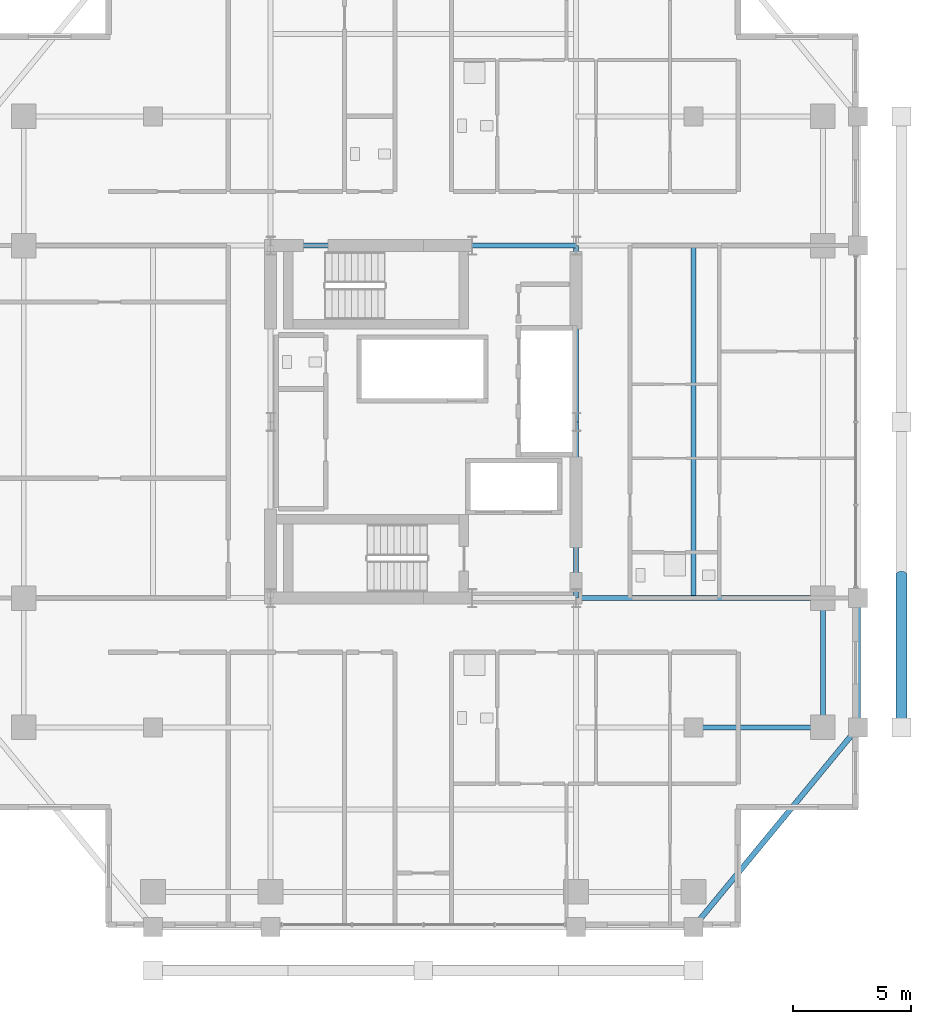
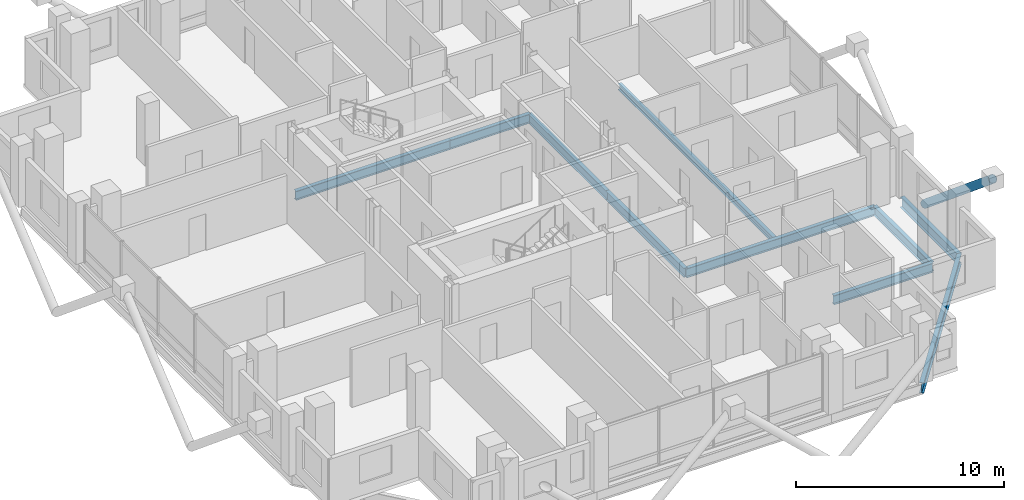
# One storey, part 9 of 24: 10 beams, 1 member.
"""IFC4 building model written with IfcOpenShell, lengths in metres."""

import ifcopenshell
import ifcopenshell.guid

model = None  # the IFC model being written
_history = None  # IfcOwnerHistory: only IFC2X3 demands one
_inside = {}  # id of a spatial element -> (the spatial element, [elements in it])
_under = {}  # id of a project, library or spatial element -> (it, [spatial elements below it])
_declared = {}  # id of a project -> (the project, [libraries it declares])
_typed = {}  # id of a type object -> (the type object, [elements of that type])
_made_of = {}  # id of a material, layer set ... -> (it, [elements and type objects made of it])


def new_model(schema):
    """Start an empty IFC model of exactly this schema.

    Asked for "IFC4X3", IfcOpenShell would pick the latest addendum, in which some entities
    have other attributes; the version numbers below select the first issue.
    IFC2X3 requires an IfcOwnerHistory on every rooted entity: one is made here for all.
    """
    global model, _history
    if schema == "IFC4X3":
        model = ifcopenshell.file(schema_version=(4, 3, 0, 0))
    else:
        model = ifcopenshell.file(schema=schema)
    _inside.clear()
    _under.clear()
    _declared.clear()
    _typed.clear()
    _made_of.clear()
    _history = None
    if model.schema == "IFC2X3":
        org = make("IfcOrganization", Name="unknown")
        user = make(
            "IfcPersonAndOrganization",
            ThePerson=make("IfcPerson", FamilyName="unknown"),
            TheOrganization=org,
        )
        app = make(
            "IfcApplication",
            ApplicationDeveloper=org,
            Version="unknown",
            ApplicationFullName="unknown",
            ApplicationIdentifier="unknown",
        )
        _history = make(
            "IfcOwnerHistory",
            OwningUser=user,
            OwningApplication=app,
            ChangeAction="ADDED",
            CreationDate=0,
        )
    return model


def make(cls, **values):
    """One entity of the class cls with the attributes given. An attribute that is None is left unset."""
    return model.create_entity(
        cls, **{name: value for name, value in values.items() if value is not None}
    )


def rooted(cls, **values):
    """An entity with a GlobalId (a new one), such as an element, a storey or a relation."""
    return make(cls, GlobalId=ifcopenshell.guid.new(), OwnerHistory=_history, **values)


def si_unit(unit_type, name, prefix=None):
    """IfcSIUnit, for example si_unit("LENGTHUNIT", "METRE", prefix="MILLI")."""
    return make("IfcSIUnit", UnitType=unit_type, Prefix=prefix, Name=name)


def assignment(units):
    """IfcUnitAssignment: the units of a project."""
    return None if units is None else make("IfcUnitAssignment", Units=units)


def point(xyz):
    """IfcCartesianPoint."""
    return None if xyz is None else make("IfcCartesianPoint", Coordinates=xyz)


def direction(xyz):
    """IfcDirection."""
    return None if xyz is None else make("IfcDirection", DirectionRatios=xyz)


def frame(location, z_axis=None, x_axis=None):
    """IfcAxis2Placement3D, a coordinate frame: its origin and axes. An axis left out is left unset."""
    return make(
        "IfcAxis2Placement3D",
        Location=point(location),
        Axis=direction(z_axis),
        RefDirection=direction(x_axis),
    )


def frame_2d(location, x_axis=None):
    """IfcAxis2Placement2D, a coordinate frame in the plane: its origin and x axis."""
    return make(
        "IfcAxis2Placement2D", Location=point(location), RefDirection=direction(x_axis)
    )


def origin():
    """The frame at (0, 0, 0) with its axes left unset."""
    return frame((0.0, 0.0, 0.0))


def origin_2d():
    """The frame at (0, 0) in the plane with its x axis left unset."""
    return frame_2d((0.0, 0.0))


def place(relative_to, where):
    """IfcLocalPlacement: puts the frame where relative to a parent placement (None: the world)."""
    return make(
        "IfcLocalPlacement", PlacementRelTo=relative_to, RelativePlacement=where
    )


def context(
    kind, dimensions, precision=None, world=None, true_north=None, identifier=None
):
    """IfcGeometricRepresentationContext, for example the 3D "Model" context."""
    return make(
        "IfcGeometricRepresentationContext",
        ContextIdentifier=identifier,
        ContextType=kind,
        CoordinateSpaceDimension=dimensions,
        Precision=precision,
        WorldCoordinateSystem=world,
        TrueNorth=true_north,
    )


def subcontext(parent, identifier, kind, view, scale=None):
    """IfcGeometricRepresentationSubContext, for example "Body" below "Model"."""
    return make(
        "IfcGeometricRepresentationSubContext",
        ContextIdentifier=identifier,
        ContextType=kind,
        ParentContext=parent,
        TargetScale=scale,
        TargetView=view,
    )


def project(units=None, contexts=None):
    """IfcProject with its units and contexts."""
    return rooted(
        "IfcProject",
        Name="project",
        RepresentationContexts=contexts,
        UnitsInContext=assignment(units),
    )


def spatial(cls, under=None, at=None, **own):
    """A site, building, storey or space (cls), placed at a placement, below another one or the project."""
    s = rooted(cls, ObjectPlacement=at, **own)
    if under is not None:
        _under.setdefault(under.id(), (under, []))[1].append(s)
    return s


def profile(cls, at=None, kind="AREA", **sizes):
    """A parametric profile (cls). Its sizes go by their IFC names, for example OverallWidth=200.0."""
    return make(cls, ProfileType=kind, Position=at, **sizes)


def hollow_circle(**sizes):
    """IfcCircleHollowProfileDef."""
    return profile("IfcCircleHollowProfileDef", **sizes)


def i_section(**sizes):
    """IfcIShapeProfileDef."""
    return profile("IfcIShapeProfileDef", **sizes)


def extrude(swept, where, along, depth):
    """IfcExtrudedAreaSolid: the profile swept, set in the frame where, extruded along a direction by depth."""
    return make(
        "IfcExtrudedAreaSolid",
        SweptArea=swept,
        Position=where,
        ExtrudedDirection=direction(along),
        Depth=depth,
    )


def shape(context_of_items, identifier, shape_type, items):
    """IfcShapeRepresentation: the items that make up one representation, for example the "Body"."""
    return make(
        "IfcShapeRepresentation",
        ContextOfItems=context_of_items,
        RepresentationIdentifier=identifier,
        RepresentationType=shape_type,
        Items=items,
    )


def material(Name=None, Category=None):
    """IfcMaterial."""
    return make("IfcMaterial", Name=Name, Category=Category)


def material_profile(
    of_material, cross_section, Name=None, Category=None, Priority=None
):
    """IfcMaterialProfile: a cross section and its material."""
    return make(
        "IfcMaterialProfile",
        Name=Name,
        Material=of_material,
        Profile=cross_section,
        Priority=Priority,
        Category=Category,
    )


def profile_set(profiles, Name=None, composite=None):
    """IfcMaterialProfileSet."""
    return make(
        "IfcMaterialProfileSet",
        Name=Name,
        MaterialProfiles=profiles,
        CompositeProfile=composite,
    )


def made_of(thing, what):
    """Note that an element or type object is made of a material, layer set ...; save() writes the relation."""
    if what is not None:
        _made_of.setdefault(what.id(), (what, []))[1].append(thing)
    return thing


def type_object(cls, material=None, **own):
    """A type object (cls), such as IfcWallType, which elements share."""
    return made_of(rooted(cls, **own), material)


def element(
    cls,
    number,
    at=None,
    inside=None,
    cuts=None,
    type_object=None,
    material=None,
    context=None,
    identifier="Body",
    shape_type=None,
    held_by="IfcProductDefinitionShape",
    body=None,
    shapes=None,
    **own,
):
    """One element of the class cls, such as IfcWall. Its Tag is "e" and its number.

    at: its placement. inside: the storey or other place that contains it. cuts: it is an
    opening in that element (IfcRelVoidsElement). A single representation is given by context,
    identifier, shape_type and body (its items); several are given by shapes. held_by: the class
    of the entity that holds the representations. save() writes the other relations.
    """
    e = rooted(cls, Tag="e%d" % number, ObjectPlacement=at, **own)
    if body is not None:
        shapes = [shape(context, identifier, shape_type, body)]
    if shapes is not None:
        e.Representation = make(held_by, Representations=shapes)
    if inside is not None:
        _inside.setdefault(inside.id(), (inside, []))[1].append(e)
    if cuts is not None:
        rooted(
            "IfcRelVoidsElement", RelatingBuildingElement=cuts, RelatedOpeningElement=e
        )
    if type_object is not None:
        _typed.setdefault(type_object.id(), (type_object, []))[1].append(e)
    return made_of(e, material)


def aggregate(whole, parts):
    """IfcRelAggregates: a whole, such as a stair, and the parts it consists of."""
    return rooted("IfcRelAggregates", RelatingObject=whole, RelatedObjects=parts)


def save(model, path):
    """Write the relations noted so far, then the file.

    IfcRelAggregates (storeys below a building ...), IfcRelContainedInSpatialStructure (elements
    in a storey), IfcRelDefinesByType, IfcRelAssociatesMaterial and IfcRelDeclares: one each for
    every whole, place, type object, material and project.
    """
    for whole, parts in _under.values():
        aggregate(whole, parts)
    for where, things in _inside.values():
        rooted(
            "IfcRelContainedInSpatialStructure",
            RelatedElements=things,
            RelatingStructure=where,
        )
    for kind, things in _typed.values():
        rooted("IfcRelDefinesByType", RelatedObjects=things, RelatingType=kind)
    for what, things in _made_of.values():
        rooted("IfcRelAssociatesMaterial", RelatedObjects=things, RelatingMaterial=what)
    for by, libraries in _declared.values():
        rooted("IfcRelDeclares", RelatingContext=by, RelatedDefinitions=libraries)
    model.write(path)


model = new_model("IFC4")

# Units and contexts
model_context = context("Model", 3, precision=1e-05, world=origin(), true_north=direction((0.0, 1.0)))
body_context = subcontext(model_context, "Body", "Model", "MODEL_VIEW")
ifc_project = project(units=[si_unit("LENGTHUNIT", "METRE"), si_unit("AREAUNIT", "SQUARE_METRE"), si_unit("VOLUMEUNIT", "CUBIC_METRE"), si_unit("PLANEANGLEUNIT", "RADIAN"), si_unit("MASSUNIT", "GRAM", prefix="KILO")], contexts=[model_context])

# Site, building, storey
site_placement = place(None, origin())
site = spatial("IfcSite", under=ifc_project, at=site_placement, CompositionType="ELEMENT")
building_placement = place(site_placement, origin())
building = spatial("IfcBuilding", under=site, at=building_placement, Name="Barlavira Tower and Art Museum", CompositionType="ELEMENT")
storey_placement = place(building_placement, frame((0.0, 0.0, 172.800048828125)))
storey = spatial("IfcBuildingStorey", under=building, at=storey_placement, Name="L44", CompositionType="ELEMENT", Elevation=172.800048828125)

# Member
ifc_material = material(Name="Steel S355", Category="steel")
ifc_material_profile_1 = material_profile(ifc_material, hollow_circle(Radius=0.228515625, WallThickness=0.02001953125, at=origin_2d()), Name="CHS 457.0x20.0")
ifc_profile_set_1 = profile_set([ifc_material_profile_1], Name="Steel S355")
member_type = type_object("IfcMemberType", Name="Pale-Metal Exoskeleton Diagrid Tube CHS 457x20 Steel S355", PredefinedType="BRACE", material=ifc_profile_set_1)
member_placement = place(storey_placement, frame((20.35009765625, -6.5, -1.920166015625), z_axis=(0.0, -0.76918185268, 0.639029950399), x_axis=(1.0, 0.0, 0.0)))
element("IfcMember", 1, at=member_placement, inside=storey, type_object=member_type, Name="L44 Exoskeleton Diagrid Tube E", PredefinedType="BRACE", context=body_context, shape_type="SweptSolid", body=[
    extrude(hollow_circle(Radius=0.228515625, WallThickness=0.02001953125, at=origin_2d()), origin(), (0.0, 0.0, 1.0), 8.450439453125),
])

# Beams
ifc_material_profile_2 = material_profile(ifc_material, i_section(OverallWidth=0.22998046875, OverallDepth=0.616943359375, WebThickness=0.01318359375, FlangeThickness=0.022216796875, at=origin_2d()), Name="W610x140.0")
ifc_profile_set_2 = profile_set([ifc_material_profile_2], Name="Steel S355")
beam_type_1 = type_object("IfcBeamType", Name="Upper Shaft Spandrel Edge Beam W610x140 Steel S355", PredefinedType="SPANDREL", material=ifc_profile_set_2)
beam_1_placement = place(storey_placement, frame((11.5, -21.5, -0.528564453125), z_axis=(0.635707252861, 0.771930235617, 0.0), x_axis=(-0.771930235617, 0.635707252861, 0.0)))
element("IfcBeam", 2, at=beam_1_placement, inside=storey, type_object=beam_type_1, Name="L44 Spandrel 4", PredefinedType="SPANDREL", context=body_context, shape_type="SweptSolid", body=[
    extrude(i_section(OverallWidth=0.22998046875, OverallDepth=0.616943359375, WebThickness=0.01318359375, FlangeThickness=0.022216796875, at=origin_2d()), origin(), (0.0, 0.0, 1.0), 11.011474609375),
])
beam_2_placement = place(storey_placement, frame((18.5, -13.0, -0.528564453125), z_axis=(0.0, 1.0, 0.0), x_axis=(-1.0, 0.0, 0.0)))
element("IfcBeam", 3, at=beam_2_placement, inside=storey, type_object=beam_type_1, Name="L44 Spandrel 5", PredefinedType="SPANDREL", context=body_context, shape_type="SweptSolid", body=[
    extrude(i_section(OverallWidth=0.22998046875, OverallDepth=0.616943359375, WebThickness=0.01318359375, FlangeThickness=0.022216796875, at=origin_2d()), origin(), (0.0, 0.0, 1.0), 5.5),
])
ifc_material_profile_3 = material_profile(ifc_material, i_section(OverallWidth=0.205078125, OverallDepth=0.35400390625, WebThickness=0.009521484375, FlangeThickness=0.016845703125, at=origin_2d()), Name="W360x79.0")
ifc_profile_set_3 = profile_set([ifc_material_profile_3], Name="Steel S355")
beam_type_2 = type_object("IfcBeamType", Name="Zone 3 Composite Floor Joist W360x79 Steel S355", PredefinedType="JOIST", material=ifc_profile_set_3)
beam_3_placement = place(storey_placement, frame((11.5, -7.5, -0.39697265625), z_axis=(0.0, 1.0, 0.0), x_axis=(-1.0, 0.0, 0.0)))
element("IfcBeam", 4, at=beam_3_placement, inside=storey, type_object=beam_type_2, Name="L44 Joist W2", PredefinedType="JOIST", context=body_context, shape_type="SweptSolid", body=[
    extrude(i_section(OverallWidth=0.205078125, OverallDepth=0.35400390625, WebThickness=0.009521484375, FlangeThickness=0.016845703125, at=origin_2d()), origin(), (0.0, 0.0, 1.0), 15.0),
])
ifc_material_profile_4 = material_profile(ifc_material, i_section(OverallWidth=0.2109375, OverallDepth=0.5390625, WebThickness=0.01171875, FlangeThickness=0.018798828125, at=origin_2d()), Name="W530x109.0")
ifc_profile_set_4 = profile_set([ifc_material_profile_4], Name="Steel S355")
beam_type_3 = type_object("IfcBeamType", Name="Zone 3-4 Primary Floor Girder W530x109 Steel S355", PredefinedType="BEAM", material=ifc_profile_set_4)
beam_4_placement = place(storey_placement, frame((-6.5, 7.5, -0.489501953125), z_axis=(1.0, 0.0, 0.0), x_axis=(0.0, 1.0, 0.0)))
element("IfcBeam", 5, at=beam_4_placement, inside=storey, type_object=beam_type_3, Name="L44 Girder C-N1", PredefinedType="BEAM", context=body_context, shape_type="SweptSolid", body=[
    extrude(i_section(OverallWidth=0.2109375, OverallDepth=0.5390625, WebThickness=0.01171875, FlangeThickness=0.018798828125, at=origin_2d()), origin(), (0.0, 0.0, 1.0), 8.580078125),
])
beam_5_placement = place(storey_placement, frame((2.080078125, 7.5, -0.489501953125), z_axis=(1.0, 0.0, 0.0), x_axis=(0.0, 1.0, 0.0)))
element("IfcBeam", 6, at=beam_5_placement, inside=storey, type_object=beam_type_3, Name="L44 Girder C-N2", PredefinedType="BEAM", context=body_context, shape_type="SweptSolid", body=[
    extrude(i_section(OverallWidth=0.2109375, OverallDepth=0.5390625, WebThickness=0.01171875, FlangeThickness=0.018798828125, at=origin_2d()), origin(), (0.0, 0.0, 1.0), 4.419921875),
])
for number, where, z_axis, x_axis, name in (
    (7, (6.5, -7.5, -0.489501953125), (0.0, 1.0, 0.0), (-1.0, 0.0, 0.0), "L44 Girder C-E1"),
    (8, (6.5, 0.0, -0.489501953125), (0.0, 1.0, 0.0), (-1.0, 0.0, 0.0), "L44 Girder C-E2"),
):
    element("IfcBeam", number, at=place(storey_placement, frame(where, z_axis=z_axis, x_axis=x_axis)), inside=storey, type_object=beam_type_3, Name=name, PredefinedType="BEAM", context=body_context, shape_type="SweptSolid", body=[
        extrude(i_section(OverallWidth=0.2109375, OverallDepth=0.5390625, WebThickness=0.01171875, FlangeThickness=0.018798828125, at=origin_2d()), origin(), (0.0, 0.0, 1.0), 7.5),
    ])
beam_6_placement = place(storey_placement, frame((17.0, -13.0, -0.489501953125), z_axis=(0.0, 1.0, 0.0), x_axis=(-1.0, 0.0, 0.0)))
element("IfcBeam", 9, at=beam_6_placement, inside=storey, type_object=beam_type_3, Name="L44 Girder M-E1", PredefinedType="BEAM", context=body_context, shape_type="SweptSolid", body=[
    extrude(i_section(OverallWidth=0.2109375, OverallDepth=0.5390625, WebThickness=0.01171875, FlangeThickness=0.018798828125, at=origin_2d()), origin(), (0.0, 0.0, 1.0), 5.5),
])
beam_7_placement = place(storey_placement, frame((6.5, -7.5, -0.489501953125), z_axis=(1.0, 0.0, 0.0), x_axis=(0.0, 1.0, 0.0)))
element("IfcBeam", 10, at=beam_7_placement, inside=storey, type_object=beam_type_3, Name="L44 Girder R-E1", PredefinedType="BEAM", context=body_context, shape_type="SweptSolid", body=[
    extrude(i_section(OverallWidth=0.2109375, OverallDepth=0.5390625, WebThickness=0.01171875, FlangeThickness=0.018798828125, at=origin_2d()), origin(), (0.0, 0.0, 1.0), 10.5),
])
beam_8_placement = place(storey_placement, frame((11.5, -13.0, -0.489501953125), z_axis=(1.0, 0.0, 0.0), x_axis=(0.0, 1.0, 0.0)))
element("IfcBeam", 11, at=beam_8_placement, inside=storey, type_object=beam_type_3, Name="L44 Girder I-S4", PredefinedType="BEAM", context=body_context, shape_type="SweptSolid", body=[
    extrude(i_section(OverallWidth=0.2109375, OverallDepth=0.5390625, WebThickness=0.01171875, FlangeThickness=0.018798828125, at=origin_2d()), origin(), (0.0, 0.0, 1.0), 5.5),
])

save(model, "model.ifc")
